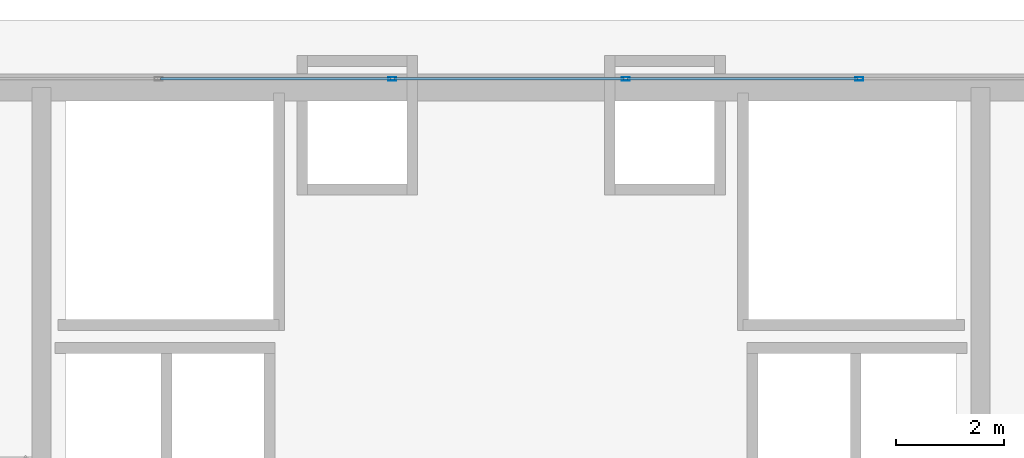
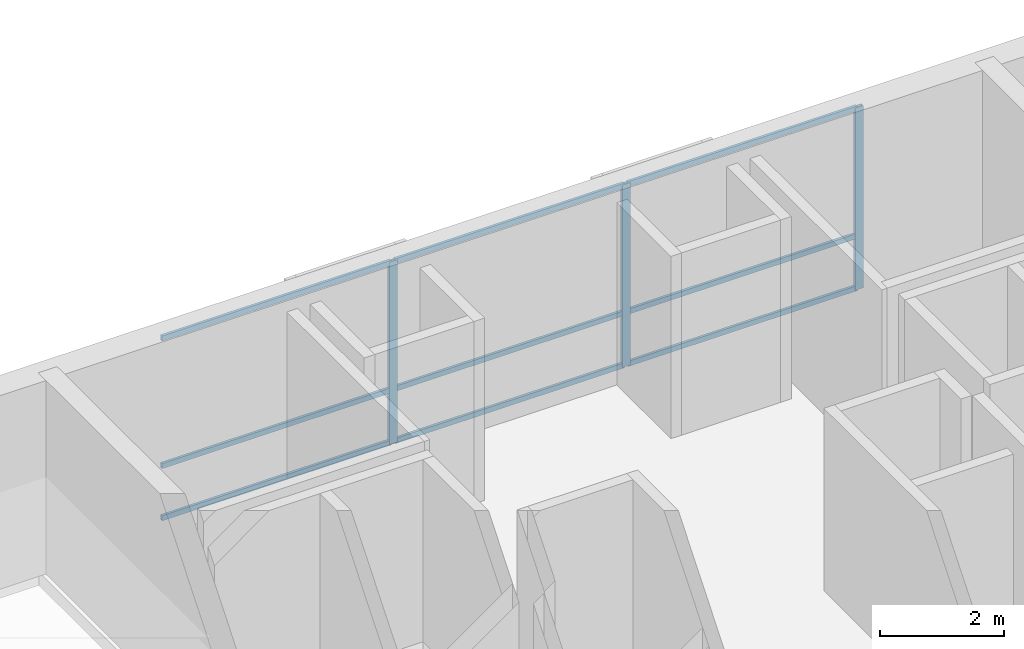
# One storey, part 25 of 35: 12 members, 1 element without a shape of its own.
"""IFC4 building model written with IfcOpenShell, lengths in metres."""

from ifc_helpers import new_model, si_unit, direction, frame, origin, origin_2d, place, context, subcontext, project, spatial, hollow_rectangle, extrude, source, transform, mapped, material, layer, layer_set, material_profile, profile_set, type_object, type_shapes, element, aggregate, save


model = new_model("IFC4")

# Units and contexts
model_context = context("Model", 3, precision=1e-05, world=origin(), true_north=direction((0.0, 1.0)))
body_context = subcontext(model_context, "Body", "Model", "MODEL_VIEW")
ifc_project = project(units=[si_unit("LENGTHUNIT", "METRE"), si_unit("AREAUNIT", "SQUARE_METRE"), si_unit("VOLUMEUNIT", "CUBIC_METRE"), si_unit("PLANEANGLEUNIT", "RADIAN"), si_unit("MASSUNIT", "GRAM", prefix="KILO")], contexts=[model_context])

# Site, building, storey
site_placement = place(None, origin())
site = spatial("IfcSite", under=ifc_project, at=site_placement, CompositionType="ELEMENT")
building_placement = place(site_placement, origin())
building = spatial("IfcBuilding", under=site, at=building_placement, Name="Tolvann Quenvar Hotel", CompositionType="ELEMENT")
storey_placement = place(building_placement, frame((0.0, 0.0, 290.949951171875)))
storey = spatial("IfcBuildingStorey", under=building, at=storey_placement, Name="L77", CompositionType="ELEMENT", Elevation=290.949951171875)

# Curtain wall, members
ifc_material_1 = material(Name="Thermally broken anodised architectural aluminium 6063-T6 and laminated low-E glass", Category="aluminium")
ifc_layer = layer(ifc_material_1, 0.179931640625)
ifc_layer_set = layer_set([ifc_layer], Name="Thermally broken anodised architectural aluminium 6063-T6 and laminated low-E glass")
curtain_wall_type = type_object("IfcCurtainWallType", Name="CW_SYS_LANT_06", PredefinedType="USERDEFINED", material=ifc_layer_set)
curtain_wall_placement = place(storey_placement, origin())
curtain_wall = element("IfcCurtainWall", 1, at=curtain_wall_placement, inside=storey, type_object=curtain_wall_type, Name="Curtain Wall CW-LANT-06 (CWR-L77-E14)", ObjectType="UNITISED CURTAIN WALL", PredefinedType="USERDEFINED")
ifc_material_2 = material(Name="Anodised architectural aluminium 6063-T6 framing", Category="aluminium")
ifc_material_profile_1 = material_profile(ifc_material_2, hollow_rectangle(XDim=0.06494140625, YDim=0.14990234375, WallThickness=0.00390625, at=origin_2d()), Name="150x65x4RHS")
ifc_profile_set_1 = profile_set([ifc_material_profile_1], Name="Anodised architectural aluminium 6063-T6 framing")
member_type_1 = type_object("IfcMemberType", Name="CW_MULL_150x65", PredefinedType="MULLION", material=ifc_profile_set_1)
shared_shape_1 = source(origin(), body_context, "Body", "SweptSolid", [
    extrude(hollow_rectangle(XDim=0.06494140625, YDim=0.14990234375, WallThickness=0.00390625, at=origin_2d()), origin(), (0.0, 0.0, 1.0), 3.580078125),
])
type_shapes(member_type_1, [shared_shape_1])
member_1_placement = place(storey_placement, frame((29.455078125, 44.110107421875, 0.0), z_axis=(0.0, 0.0, 1.0), x_axis=(0.0, -1.0, 0.0)))
member_1 = element("IfcMember", 2, at=member_1_placement, type_object=member_type_1, Name="CW-LANT-06 mullion 2", PredefinedType="MULLION", context=body_context, shape_type="MappedRepresentation", body=[
    mapped(shared_shape_1, transform((0.0, 0.0, 0.0), x_axis=(1.0, 0.0, 0.0), y_axis=(0.0, 1.0, 0.0), z_axis=(0.0, 0.0, 1.0), scale=1.0)),
])
member_2_placement = place(storey_placement, frame((25.127685546875, 44.110107421875, 0.0), z_axis=(0.0, 0.0, 1.0), x_axis=(0.0, -1.0, 0.0)))
member_2 = element("IfcMember", 3, at=member_2_placement, type_object=member_type_1, Name="CW-LANT-06 mullion 3", PredefinedType="MULLION", context=body_context, shape_type="MappedRepresentation", body=[
    mapped(shared_shape_1, transform((0.0, 0.0, 0.0), x_axis=(1.0, 0.0, 0.0), y_axis=(0.0, 1.0, 0.0), z_axis=(0.0, 0.0, 1.0), scale=1.0)),
])
member_3_placement = place(storey_placement, frame((20.800048828125, 44.110107421875, 0.0), z_axis=(0.0, 0.0, 1.0), x_axis=(0.0, -1.0, 0.0)))
member_3 = element("IfcMember", 4, at=member_3_placement, type_object=member_type_1, Name="CW-LANT-06 mullion 4", PredefinedType="MULLION", context=body_context, shape_type="MappedRepresentation", body=[
    mapped(shared_shape_1, transform((0.0, 0.0, 0.0), x_axis=(1.0, 0.0, 0.0), y_axis=(0.0, 1.0, 0.0), z_axis=(0.0, 0.0, 1.0), scale=1.0)),
])
ifc_material_profile_2 = material_profile(ifc_material_2, hollow_rectangle(XDim=0.050048828125, YDim=0.10009765625, WallThickness=0.0029296875, at=origin_2d()), Name="100x50x3RHS")
ifc_profile_set_2 = profile_set([ifc_material_profile_2], Name="Anodised architectural aluminium 6063-T6 framing")
member_type_2 = type_object("IfcMemberType", Name="CW_TRAN_100x50", PredefinedType="USERDEFINED", material=ifc_profile_set_2)
shared_shape_2 = source(origin(), body_context, "Body", "SweptSolid", [
    extrude(hollow_rectangle(XDim=0.050048828125, YDim=0.10009765625, WallThickness=0.0029296875, at=origin_2d()), origin(), (0.0, 0.0, 1.0), 4.2626953125),
])
member_4_placement = place(storey_placement, frame((25.09521484375, 44.110107421875, 0.025146484375), z_axis=(-1.0, 0.0, 0.0), x_axis=(0.0, -1.0, 0.0)))
member_4 = element("IfcMember", 5, at=member_4_placement, type_object=member_type_2, Name="CW-LANT-06 transom 3.1", ObjectType="TRANSOM", PredefinedType="USERDEFINED", context=body_context, shape_type="MappedRepresentation", body=[
    mapped(shared_shape_2, transform((0.0, 0.0, 0.0), x_axis=(1.0, 0.0, 0.0), y_axis=(0.0, 1.0, 0.0), z_axis=(0.0, 0.0, 1.0), scale=1.0)),
])
member_5_placement = place(storey_placement, frame((25.09521484375, 44.110107421875, 1.050048828125), z_axis=(-1.0, 0.0, 0.0), x_axis=(0.0, -1.0, 0.0)))
member_5 = element("IfcMember", 6, at=member_5_placement, type_object=member_type_2, Name="CW-LANT-06 transom 3.2", ObjectType="TRANSOM", PredefinedType="USERDEFINED", context=body_context, shape_type="MappedRepresentation", body=[
    mapped(shared_shape_2, transform((0.0, 0.0, 0.0), x_axis=(1.0, 0.0, 0.0), y_axis=(0.0, 1.0, 0.0), z_axis=(0.0, 0.0, 1.0), scale=1.0)),
])
member_6_placement = place(storey_placement, frame((25.09521484375, 44.110107421875, 3.554931640625), z_axis=(-1.0, 0.0, 0.0), x_axis=(0.0, -1.0, 0.0)))
member_6 = element("IfcMember", 7, at=member_6_placement, type_object=member_type_2, Name="CW-LANT-06 transom 3.3", ObjectType="TRANSOM", PredefinedType="USERDEFINED", context=body_context, shape_type="MappedRepresentation", body=[
    mapped(shared_shape_2, transform((0.0, 0.0, 0.0), x_axis=(1.0, 0.0, 0.0), y_axis=(0.0, 1.0, 0.0), z_axis=(0.0, 0.0, 1.0), scale=1.0)),
])
member_7_placement = place(storey_placement, frame((20.767578125, 44.110107421875, 0.025146484375), z_axis=(-1.0, 0.0, 0.0), x_axis=(0.0, -1.0, 0.0)))
member_7 = element("IfcMember", 8, at=member_7_placement, type_object=member_type_2, Name="CW-LANT-06 transom 4.1", ObjectType="TRANSOM", PredefinedType="USERDEFINED", context=body_context, shape_type="MappedRepresentation", body=[
    mapped(shared_shape_2, transform((0.0, 0.0, 0.0), x_axis=(1.0, 0.0, 0.0), y_axis=(0.0, 1.0, 0.0), z_axis=(0.0, 0.0, 1.0), scale=1.0)),
])
member_8_placement = place(storey_placement, frame((20.767578125, 44.110107421875, 1.050048828125), z_axis=(-1.0, 0.0, 0.0), x_axis=(0.0, -1.0, 0.0)))
member_8 = element("IfcMember", 9, at=member_8_placement, type_object=member_type_2, Name="CW-LANT-06 transom 4.2", ObjectType="TRANSOM", PredefinedType="USERDEFINED", context=body_context, shape_type="MappedRepresentation", body=[
    mapped(shared_shape_2, transform((0.0, 0.0, 0.0), x_axis=(1.0, 0.0, 0.0), y_axis=(0.0, 1.0, 0.0), z_axis=(0.0, 0.0, 1.0), scale=1.0)),
])
member_9_placement = place(storey_placement, frame((20.767578125, 44.110107421875, 3.554931640625), z_axis=(-1.0, 0.0, 0.0), x_axis=(0.0, -1.0, 0.0)))
member_9 = element("IfcMember", 10, at=member_9_placement, type_object=member_type_2, Name="CW-LANT-06 transom 4.3", ObjectType="TRANSOM", PredefinedType="USERDEFINED", context=body_context, shape_type="MappedRepresentation", body=[
    mapped(shared_shape_2, transform((0.0, 0.0, 0.0), x_axis=(1.0, 0.0, 0.0), y_axis=(0.0, 1.0, 0.0), z_axis=(0.0, 0.0, 1.0), scale=1.0)),
])
shared_shape_3 = source(origin(), body_context, "Body", "SweptSolid", [
    extrude(hollow_rectangle(XDim=0.050048828125, YDim=0.10009765625, WallThickness=0.0029296875, at=origin_2d()), origin(), (0.0, 0.0, 1.0), 4.262451171875),
])
type_shapes(member_type_2, [shared_shape_2, shared_shape_3])
member_10_placement = place(storey_placement, frame((29.422607421875, 44.110107421875, 0.025146484375), z_axis=(-1.0, 0.0, 0.0), x_axis=(0.0, -1.0, 0.0)))
member_10 = element("IfcMember", 11, at=member_10_placement, type_object=member_type_2, Name="CW-LANT-06 transom 2.1", ObjectType="TRANSOM", PredefinedType="USERDEFINED", context=body_context, shape_type="MappedRepresentation", body=[
    mapped(shared_shape_3, transform((0.0, 0.0, 0.0), x_axis=(1.0, 0.0, 0.0), y_axis=(0.0, 1.0, 0.0), z_axis=(0.0, 0.0, 1.0), scale=1.0)),
])
member_11_placement = place(storey_placement, frame((29.422607421875, 44.110107421875, 1.050048828125), z_axis=(-1.0, 0.0, 0.0), x_axis=(0.0, -1.0, 0.0)))
member_11 = element("IfcMember", 12, at=member_11_placement, type_object=member_type_2, Name="CW-LANT-06 transom 2.2", ObjectType="TRANSOM", PredefinedType="USERDEFINED", context=body_context, shape_type="MappedRepresentation", body=[
    mapped(shared_shape_3, transform((0.0, 0.0, 0.0), x_axis=(1.0, 0.0, 0.0), y_axis=(0.0, 1.0, 0.0), z_axis=(0.0, 0.0, 1.0), scale=1.0)),
])
member_12_placement = place(storey_placement, frame((29.422607421875, 44.110107421875, 3.554931640625), z_axis=(-1.0, 0.0, 0.0), x_axis=(0.0, -1.0, 0.0)))
member_12 = element("IfcMember", 13, at=member_12_placement, type_object=member_type_2, Name="CW-LANT-06 transom 2.3", ObjectType="TRANSOM", PredefinedType="USERDEFINED", context=body_context, shape_type="MappedRepresentation", body=[
    mapped(shared_shape_3, transform((0.0, 0.0, 0.0), x_axis=(1.0, 0.0, 0.0), y_axis=(0.0, 1.0, 0.0), z_axis=(0.0, 0.0, 1.0), scale=1.0)),
])
aggregate(curtain_wall, [member_1, member_2, member_3, member_10, member_11, member_12, member_4, member_5, member_6, member_7, member_8, member_9])

save(model, "model.ifc")
